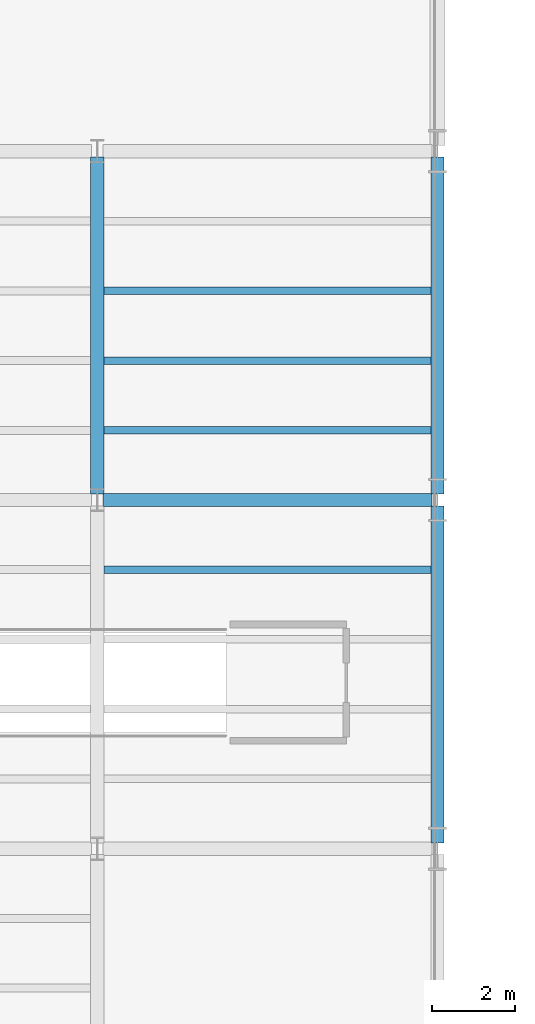
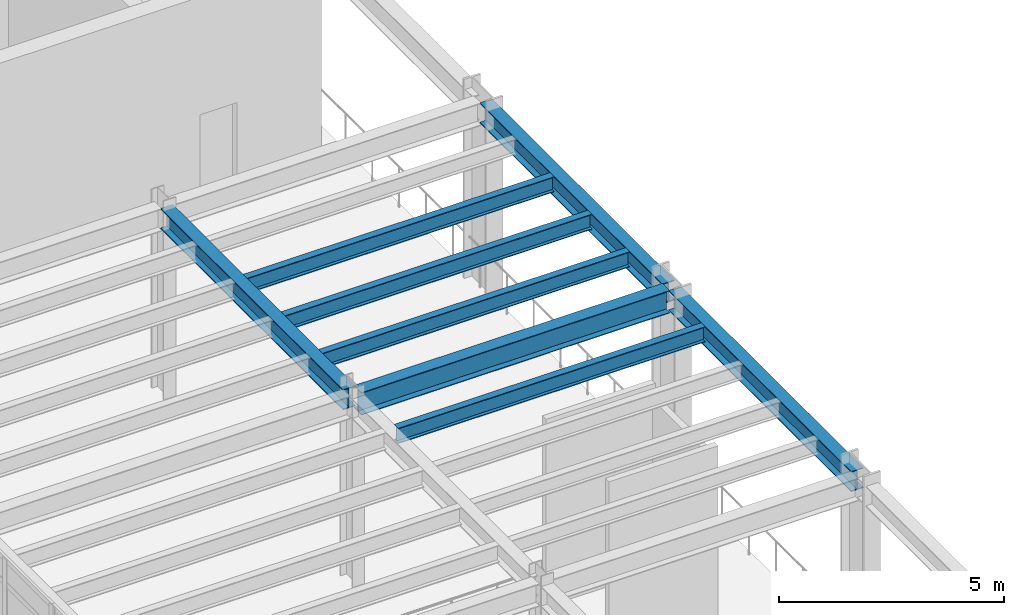
# One storey, part 21 of 98: 8 beams.
"""IFC4 building model written with IfcOpenShell, lengths in metres."""

import ifcopenshell
import ifcopenshell.guid

model = None  # the IFC model being written
_history = None  # IfcOwnerHistory: only IFC2X3 demands one
_inside = {}  # id of a spatial element -> (the spatial element, [elements in it])
_under = {}  # id of a project, library or spatial element -> (it, [spatial elements below it])
_declared = {}  # id of a project -> (the project, [libraries it declares])
_typed = {}  # id of a type object -> (the type object, [elements of that type])
_made_of = {}  # id of a material, layer set ... -> (it, [elements and type objects made of it])


def new_model(schema):
    """Start an empty IFC model of exactly this schema.

    Asked for "IFC4X3", IfcOpenShell would pick the latest addendum, in which some entities
    have other attributes; the version numbers below select the first issue.
    IFC2X3 requires an IfcOwnerHistory on every rooted entity: one is made here for all.
    """
    global model, _history
    if schema == "IFC4X3":
        model = ifcopenshell.file(schema_version=(4, 3, 0, 0))
    else:
        model = ifcopenshell.file(schema=schema)
    _inside.clear()
    _under.clear()
    _declared.clear()
    _typed.clear()
    _made_of.clear()
    _history = None
    if model.schema == "IFC2X3":
        org = make("IfcOrganization", Name="unknown")
        user = make(
            "IfcPersonAndOrganization",
            ThePerson=make("IfcPerson", FamilyName="unknown"),
            TheOrganization=org,
        )
        app = make(
            "IfcApplication",
            ApplicationDeveloper=org,
            Version="unknown",
            ApplicationFullName="unknown",
            ApplicationIdentifier="unknown",
        )
        _history = make(
            "IfcOwnerHistory",
            OwningUser=user,
            OwningApplication=app,
            ChangeAction="ADDED",
            CreationDate=0,
        )
    return model


def make(cls, **values):
    """One entity of the class cls with the attributes given. An attribute that is None is left unset."""
    return model.create_entity(
        cls, **{name: value for name, value in values.items() if value is not None}
    )


def rooted(cls, **values):
    """An entity with a GlobalId (a new one), such as an element, a storey or a relation."""
    return make(cls, GlobalId=ifcopenshell.guid.new(), OwnerHistory=_history, **values)


def si_unit(unit_type, name, prefix=None):
    """IfcSIUnit, for example si_unit("LENGTHUNIT", "METRE", prefix="MILLI")."""
    return make("IfcSIUnit", UnitType=unit_type, Prefix=prefix, Name=name)


def assignment(units):
    """IfcUnitAssignment: the units of a project."""
    return None if units is None else make("IfcUnitAssignment", Units=units)


def point(xyz):
    """IfcCartesianPoint."""
    return None if xyz is None else make("IfcCartesianPoint", Coordinates=xyz)


def direction(xyz):
    """IfcDirection."""
    return None if xyz is None else make("IfcDirection", DirectionRatios=xyz)


def frame(location, z_axis=None, x_axis=None):
    """IfcAxis2Placement3D, a coordinate frame: its origin and axes. An axis left out is left unset."""
    return make(
        "IfcAxis2Placement3D",
        Location=point(location),
        Axis=direction(z_axis),
        RefDirection=direction(x_axis),
    )


def frame_2d(location, x_axis=None):
    """IfcAxis2Placement2D, a coordinate frame in the plane: its origin and x axis."""
    return make(
        "IfcAxis2Placement2D", Location=point(location), RefDirection=direction(x_axis)
    )


def origin():
    """The frame at (0, 0, 0) with its axes left unset."""
    return frame((0.0, 0.0, 0.0))


def origin_2d():
    """The frame at (0, 0) in the plane with its x axis left unset."""
    return frame_2d((0.0, 0.0))


def place(relative_to, where):
    """IfcLocalPlacement: puts the frame where relative to a parent placement (None: the world)."""
    return make(
        "IfcLocalPlacement", PlacementRelTo=relative_to, RelativePlacement=where
    )


def context(
    kind, dimensions, precision=None, world=None, true_north=None, identifier=None
):
    """IfcGeometricRepresentationContext, for example the 3D "Model" context."""
    return make(
        "IfcGeometricRepresentationContext",
        ContextIdentifier=identifier,
        ContextType=kind,
        CoordinateSpaceDimension=dimensions,
        Precision=precision,
        WorldCoordinateSystem=world,
        TrueNorth=true_north,
    )


def subcontext(parent, identifier, kind, view, scale=None):
    """IfcGeometricRepresentationSubContext, for example "Body" below "Model"."""
    return make(
        "IfcGeometricRepresentationSubContext",
        ContextIdentifier=identifier,
        ContextType=kind,
        ParentContext=parent,
        TargetScale=scale,
        TargetView=view,
    )


def project(units=None, contexts=None):
    """IfcProject with its units and contexts."""
    return rooted(
        "IfcProject",
        Name="project",
        RepresentationContexts=contexts,
        UnitsInContext=assignment(units),
    )


def spatial(cls, under=None, at=None, **own):
    """A site, building, storey or space (cls), placed at a placement, below another one or the project."""
    s = rooted(cls, ObjectPlacement=at, **own)
    if under is not None:
        _under.setdefault(under.id(), (under, []))[1].append(s)
    return s


def profile(cls, at=None, kind="AREA", **sizes):
    """A parametric profile (cls). Its sizes go by their IFC names, for example OverallWidth=200.0."""
    return make(cls, ProfileType=kind, Position=at, **sizes)


def i_section(**sizes):
    """IfcIShapeProfileDef."""
    return profile("IfcIShapeProfileDef", **sizes)


def extrude(swept, where, along, depth):
    """IfcExtrudedAreaSolid: the profile swept, set in the frame where, extruded along a direction by depth."""
    return make(
        "IfcExtrudedAreaSolid",
        SweptArea=swept,
        Position=where,
        ExtrudedDirection=direction(along),
        Depth=depth,
    )


def shape(context_of_items, identifier, shape_type, items):
    """IfcShapeRepresentation: the items that make up one representation, for example the "Body"."""
    return make(
        "IfcShapeRepresentation",
        ContextOfItems=context_of_items,
        RepresentationIdentifier=identifier,
        RepresentationType=shape_type,
        Items=items,
    )


def material(Name=None, Category=None):
    """IfcMaterial."""
    return make("IfcMaterial", Name=Name, Category=Category)


def material_profile(
    of_material, cross_section, Name=None, Category=None, Priority=None
):
    """IfcMaterialProfile: a cross section and its material."""
    return make(
        "IfcMaterialProfile",
        Name=Name,
        Material=of_material,
        Profile=cross_section,
        Priority=Priority,
        Category=Category,
    )


def profile_set(profiles, Name=None, composite=None):
    """IfcMaterialProfileSet."""
    return make(
        "IfcMaterialProfileSet",
        Name=Name,
        MaterialProfiles=profiles,
        CompositeProfile=composite,
    )


def made_of(thing, what):
    """Note that an element or type object is made of a material, layer set ...; save() writes the relation."""
    if what is not None:
        _made_of.setdefault(what.id(), (what, []))[1].append(thing)
    return thing


def type_object(cls, material=None, **own):
    """A type object (cls), such as IfcWallType, which elements share."""
    return made_of(rooted(cls, **own), material)


def element(
    cls,
    number,
    at=None,
    inside=None,
    cuts=None,
    type_object=None,
    material=None,
    context=None,
    identifier="Body",
    shape_type=None,
    held_by="IfcProductDefinitionShape",
    body=None,
    shapes=None,
    **own,
):
    """One element of the class cls, such as IfcWall. Its Tag is "e" and its number.

    at: its placement. inside: the storey or other place that contains it. cuts: it is an
    opening in that element (IfcRelVoidsElement). A single representation is given by context,
    identifier, shape_type and body (its items); several are given by shapes. held_by: the class
    of the entity that holds the representations. save() writes the other relations.
    """
    e = rooted(cls, Tag="e%d" % number, ObjectPlacement=at, **own)
    if body is not None:
        shapes = [shape(context, identifier, shape_type, body)]
    if shapes is not None:
        e.Representation = make(held_by, Representations=shapes)
    if inside is not None:
        _inside.setdefault(inside.id(), (inside, []))[1].append(e)
    if cuts is not None:
        rooted(
            "IfcRelVoidsElement", RelatingBuildingElement=cuts, RelatedOpeningElement=e
        )
    if type_object is not None:
        _typed.setdefault(type_object.id(), (type_object, []))[1].append(e)
    return made_of(e, material)


def aggregate(whole, parts):
    """IfcRelAggregates: a whole, such as a stair, and the parts it consists of."""
    return rooted("IfcRelAggregates", RelatingObject=whole, RelatedObjects=parts)


def save(model, path):
    """Write the relations noted so far, then the file.

    IfcRelAggregates (storeys below a building ...), IfcRelContainedInSpatialStructure (elements
    in a storey), IfcRelDefinesByType, IfcRelAssociatesMaterial and IfcRelDeclares: one each for
    every whole, place, type object, material and project.
    """
    for whole, parts in _under.values():
        aggregate(whole, parts)
    for where, things in _inside.values():
        rooted(
            "IfcRelContainedInSpatialStructure",
            RelatedElements=things,
            RelatingStructure=where,
        )
    for kind, things in _typed.values():
        rooted("IfcRelDefinesByType", RelatedObjects=things, RelatingType=kind)
    for what, things in _made_of.values():
        rooted("IfcRelAssociatesMaterial", RelatedObjects=things, RelatingMaterial=what)
    for by, libraries in _declared.values():
        rooted("IfcRelDeclares", RelatingContext=by, RelatedDefinitions=libraries)
    model.write(path)


model = new_model("IFC4")

# Units and contexts
model_context = context("Model", 3, precision=1e-05, world=origin(), true_north=direction((0.0, 1.0)))
body_context = subcontext(model_context, "Body", "Model", "MODEL_VIEW")
ifc_project = project(units=[si_unit("LENGTHUNIT", "METRE"), si_unit("AREAUNIT", "SQUARE_METRE"), si_unit("VOLUMEUNIT", "CUBIC_METRE"), si_unit("PLANEANGLEUNIT", "RADIAN"), si_unit("MASSUNIT", "GRAM", prefix="KILO")], contexts=[model_context])

# Site, building, storey
site_placement = place(None, origin())
site = spatial("IfcSite", under=ifc_project, at=site_placement, CompositionType="ELEMENT")
building_placement = place(site_placement, origin())
building = spatial("IfcBuilding", under=site, at=building_placement, Name="Sollismere Congress Hotel", CompositionType="ELEMENT")
storey_placement = place(building_placement, frame((0.0, 0.0, 5.39990234375)))
storey = spatial("IfcBuildingStorey", under=building, at=storey_placement, Name="L01", CompositionType="ELEMENT", Elevation=5.39990234375)

# Beams
ifc_material = material(Name="Steel ASTM A992 Grade 50", Category="steel")
ifc_material_profile_1 = material_profile(ifc_material, i_section(OverallWidth=0.31494140625, OverallDepth=0.551025390625, WebThickness=0.01513671875, FlangeThickness=0.0244140625, at=origin_2d()), Name="W21X122")
ifc_profile_set_1 = profile_set([ifc_material_profile_1], Name="Steel ASTM A992 Grade 50")
beam_type_1 = type_object("IfcBeamType", Name="BM-G21H", PredefinedType="BEAM", material=ifc_profile_set_1)
beam_1_placement = place(storey_placement, frame((9.800048828125, 41.739990234375, 4.844482421875), z_axis=(0.0, 1.0, 0.0), x_axis=(-1.0, 0.0, 0.0)))
element("IfcBeam", 1, at=beam_1_placement, inside=storey, type_object=beam_type_1, Name="Beam BM-L01-1630", PredefinedType="BEAM", context=body_context, shape_type="SweptSolid", body=[
    extrude(i_section(OverallWidth=0.31494140625, OverallDepth=0.551025390625, WebThickness=0.01513671875, FlangeThickness=0.0244140625, at=origin_2d()), origin(), (0.0, 0.0, 1.0), 8.1201171875),
])
beam_2_placement = place(storey_placement, frame((18.0, 33.340087890625, 4.844482421875), z_axis=(0.0, 1.0, 0.0), x_axis=(-1.0, 0.0, 0.0)))
element("IfcBeam", 2, at=beam_2_placement, inside=storey, type_object=beam_type_1, Name="Beam BM-L01-1632", PredefinedType="BEAM", context=body_context, shape_type="SweptSolid", body=[
    extrude(i_section(OverallWidth=0.31494140625, OverallDepth=0.551025390625, WebThickness=0.01513671875, FlangeThickness=0.0244140625, at=origin_2d()), origin(), (0.0, 0.0, 1.0), 8.119873046875),
])
beam_3_placement = place(storey_placement, frame((18.0, 41.739990234375, 4.844482421875), z_axis=(0.0, 1.0, 0.0), x_axis=(-1.0, 0.0, 0.0)))
element("IfcBeam", 3, at=beam_3_placement, inside=storey, type_object=beam_type_1, Name="Beam BM-L01-1633", PredefinedType="BEAM", context=body_context, shape_type="SweptSolid", body=[
    extrude(i_section(OverallWidth=0.31494140625, OverallDepth=0.551025390625, WebThickness=0.01513671875, FlangeThickness=0.0244140625, at=origin_2d()), origin(), (0.0, 0.0, 1.0), 8.1201171875),
])
ifc_material_profile_2 = material_profile(ifc_material, i_section(OverallWidth=0.324951171875, OverallDepth=0.612060546875, WebThickness=0.0126953125, FlangeThickness=0.01904296875, at=origin_2d()), Name="W24X104")
ifc_profile_set_2 = profile_set([ifc_material_profile_2], Name="Steel ASTM A992 Grade 50")
beam_type_2 = type_object("IfcBeamType", Name="BM-G24", PredefinedType="BEAM", material=ifc_profile_set_2)
beam_4_placement = place(storey_placement, frame((9.93994140625, 41.60009765625, 4.814208984375), z_axis=(1.0, 0.0, 0.0), x_axis=(0.0, 1.0, 0.0)))
element("IfcBeam", 4, at=beam_4_placement, inside=storey, type_object=beam_type_2, Name="Beam BM-L01-1572", PredefinedType="BEAM", context=body_context, shape_type="SweptSolid", body=[
    extrude(i_section(OverallWidth=0.324951171875, OverallDepth=0.612060546875, WebThickness=0.0126953125, FlangeThickness=0.01904296875, at=origin_2d()), origin(), (0.0, 0.0, 1.0), 7.920166015625),
])
ifc_material_profile_3 = material_profile(ifc_material, i_section(OverallWidth=0.180908203125, OverallDepth=0.4169921875, WebThickness=0.010986328125, FlangeThickness=0.018310546875, at=origin_2d()), Name="W16X57")
ifc_profile_set_3 = profile_set([ifc_material_profile_3], Name="Steel ASTM A992 Grade 50")
beam_type_3 = type_object("IfcBeamType", Name="BM-J16", PredefinedType="JOIST", material=ifc_profile_set_3)
for number, where, z_axis, x_axis, name in (
    (5, (9.95751953125, 39.919921875, 4.91162109375), (1.0, 0.0, 0.0), (0.0, 1.0, 0.0), "Beam BM-L01-1738"),
    (6, (9.95751953125, 43.280029296875, 4.91162109375), (1.0, 0.0, 0.0), (0.0, 1.0, 0.0), "Beam BM-L01-1739"),
    (7, (9.95751953125, 44.9599609375, 4.91162109375), (1.0, 0.0, 0.0), (0.0, 1.0, 0.0), "Beam BM-L01-1740"),
    (8, (9.95751953125, 46.639892578125, 4.91162109375), (1.0, 0.0, 0.0), (0.0, 1.0, 0.0), "Beam BM-L01-1741"),
):
    element("IfcBeam", number, at=place(storey_placement, frame(where, z_axis=z_axis, x_axis=x_axis)), inside=storey, type_object=beam_type_3, Name=name, PredefinedType="JOIST", context=body_context, shape_type="SweptSolid", body=[
        extrude(i_section(OverallWidth=0.180908203125, OverallDepth=0.4169921875, WebThickness=0.010986328125, FlangeThickness=0.018310546875, at=origin_2d()), origin(), (0.0, 0.0, 1.0), 7.885009765625),
    ])

save(model, "model.ifc")
